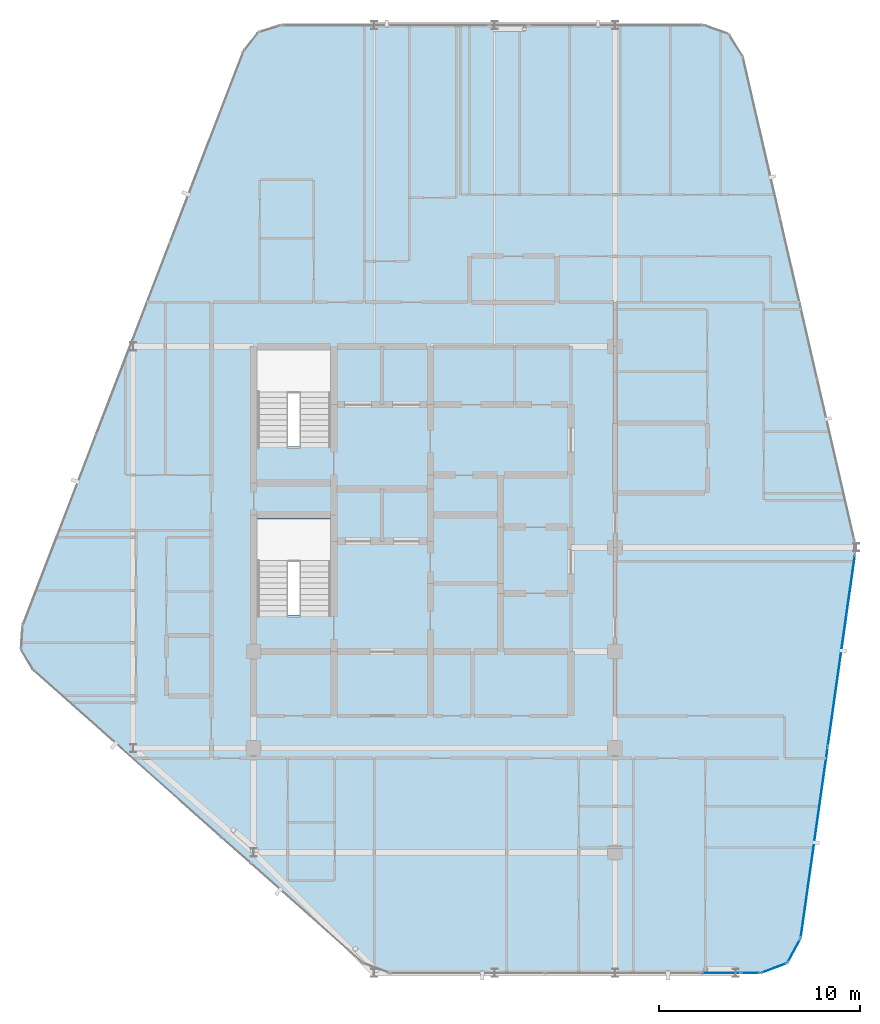
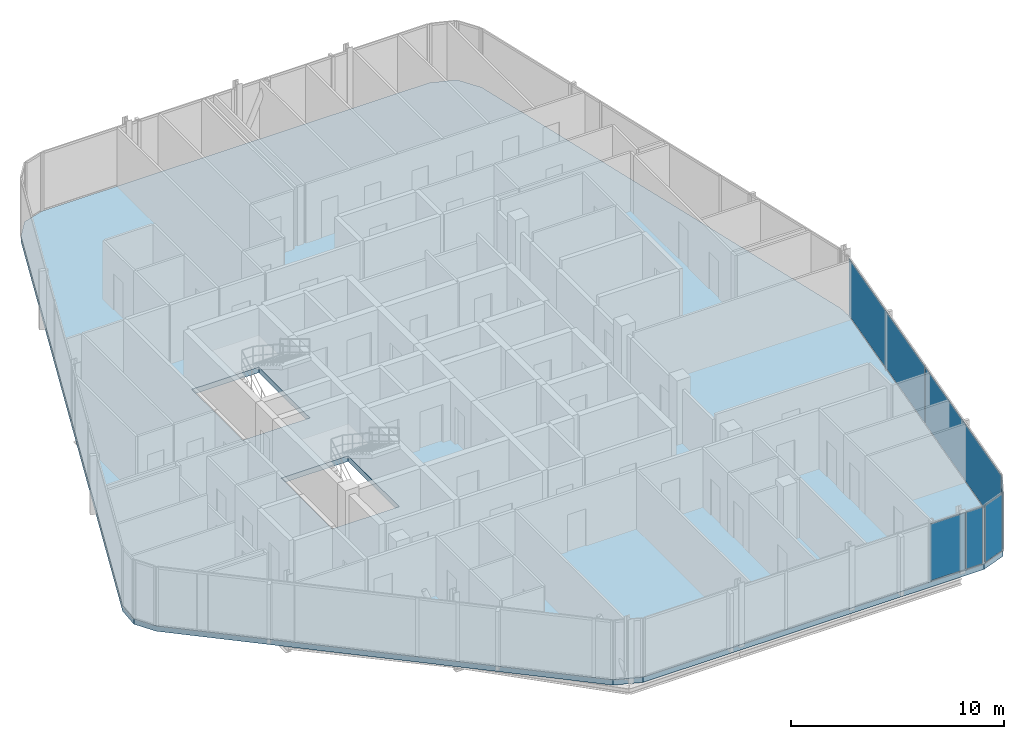
# One storey, part 23 of 30: 6 plates, 1 slab, 5 elements without a shape of their own.
"""IFC4 building model written with IfcOpenShell, lengths in metres."""

import ifcopenshell
import ifcopenshell.guid

model = None  # the IFC model being written
_history = None  # IfcOwnerHistory: only IFC2X3 demands one
_inside = {}  # id of a spatial element -> (the spatial element, [elements in it])
_under = {}  # id of a project, library or spatial element -> (it, [spatial elements below it])
_declared = {}  # id of a project -> (the project, [libraries it declares])
_typed = {}  # id of a type object -> (the type object, [elements of that type])
_made_of = {}  # id of a material, layer set ... -> (it, [elements and type objects made of it])


def new_model(schema):
    """Start an empty IFC model of exactly this schema.

    Asked for "IFC4X3", IfcOpenShell would pick the latest addendum, in which some entities
    have other attributes; the version numbers below select the first issue.
    IFC2X3 requires an IfcOwnerHistory on every rooted entity: one is made here for all.
    """
    global model, _history
    if schema == "IFC4X3":
        model = ifcopenshell.file(schema_version=(4, 3, 0, 0))
    else:
        model = ifcopenshell.file(schema=schema)
    _inside.clear()
    _under.clear()
    _declared.clear()
    _typed.clear()
    _made_of.clear()
    _history = None
    if model.schema == "IFC2X3":
        org = make("IfcOrganization", Name="unknown")
        user = make(
            "IfcPersonAndOrganization",
            ThePerson=make("IfcPerson", FamilyName="unknown"),
            TheOrganization=org,
        )
        app = make(
            "IfcApplication",
            ApplicationDeveloper=org,
            Version="unknown",
            ApplicationFullName="unknown",
            ApplicationIdentifier="unknown",
        )
        _history = make(
            "IfcOwnerHistory",
            OwningUser=user,
            OwningApplication=app,
            ChangeAction="ADDED",
            CreationDate=0,
        )
    return model


def make(cls, **values):
    """One entity of the class cls with the attributes given. An attribute that is None is left unset."""
    return model.create_entity(
        cls, **{name: value for name, value in values.items() if value is not None}
    )


def rooted(cls, **values):
    """An entity with a GlobalId (a new one), such as an element, a storey or a relation."""
    return make(cls, GlobalId=ifcopenshell.guid.new(), OwnerHistory=_history, **values)


def si_unit(unit_type, name, prefix=None):
    """IfcSIUnit, for example si_unit("LENGTHUNIT", "METRE", prefix="MILLI")."""
    return make("IfcSIUnit", UnitType=unit_type, Prefix=prefix, Name=name)


def assignment(units):
    """IfcUnitAssignment: the units of a project."""
    return None if units is None else make("IfcUnitAssignment", Units=units)


def point(xyz):
    """IfcCartesianPoint."""
    return None if xyz is None else make("IfcCartesianPoint", Coordinates=xyz)


def direction(xyz):
    """IfcDirection."""
    return None if xyz is None else make("IfcDirection", DirectionRatios=xyz)


def frame(location, z_axis=None, x_axis=None):
    """IfcAxis2Placement3D, a coordinate frame: its origin and axes. An axis left out is left unset."""
    return make(
        "IfcAxis2Placement3D",
        Location=point(location),
        Axis=direction(z_axis),
        RefDirection=direction(x_axis),
    )


def frame_2d(location, x_axis=None):
    """IfcAxis2Placement2D, a coordinate frame in the plane: its origin and x axis."""
    return make(
        "IfcAxis2Placement2D", Location=point(location), RefDirection=direction(x_axis)
    )


def origin():
    """The frame at (0, 0, 0) with its axes left unset."""
    return frame((0.0, 0.0, 0.0))


def origin_2d():
    """The frame at (0, 0) in the plane with its x axis left unset."""
    return frame_2d((0.0, 0.0))


def place(relative_to, where):
    """IfcLocalPlacement: puts the frame where relative to a parent placement (None: the world)."""
    return make(
        "IfcLocalPlacement", PlacementRelTo=relative_to, RelativePlacement=where
    )


def context(
    kind, dimensions, precision=None, world=None, true_north=None, identifier=None
):
    """IfcGeometricRepresentationContext, for example the 3D "Model" context."""
    return make(
        "IfcGeometricRepresentationContext",
        ContextIdentifier=identifier,
        ContextType=kind,
        CoordinateSpaceDimension=dimensions,
        Precision=precision,
        WorldCoordinateSystem=world,
        TrueNorth=true_north,
    )


def subcontext(parent, identifier, kind, view, scale=None):
    """IfcGeometricRepresentationSubContext, for example "Body" below "Model"."""
    return make(
        "IfcGeometricRepresentationSubContext",
        ContextIdentifier=identifier,
        ContextType=kind,
        ParentContext=parent,
        TargetScale=scale,
        TargetView=view,
    )


def project(units=None, contexts=None):
    """IfcProject with its units and contexts."""
    return rooted(
        "IfcProject",
        Name="project",
        RepresentationContexts=contexts,
        UnitsInContext=assignment(units),
    )


def spatial(cls, under=None, at=None, **own):
    """A site, building, storey or space (cls), placed at a placement, below another one or the project."""
    s = rooted(cls, ObjectPlacement=at, **own)
    if under is not None:
        _under.setdefault(under.id(), (under, []))[1].append(s)
    return s


def polyline(points):
    """IfcPolyline through the points."""
    return make("IfcPolyline", Points=[point(p) for p in points])


def profile(cls, at=None, kind="AREA", **sizes):
    """A parametric profile (cls). Its sizes go by their IFC names, for example OverallWidth=200.0."""
    return make(cls, ProfileType=kind, Position=at, **sizes)


def rectangle(**sizes):
    """IfcRectangleProfileDef."""
    return profile("IfcRectangleProfileDef", **sizes)


def outline(outer, holes=None, kind="AREA"):
    """IfcArbitraryClosedProfileDef: a profile drawn as a closed curve; with holes, ...WithVoids."""
    if holes is None:
        return make("IfcArbitraryClosedProfileDef", ProfileType=kind, OuterCurve=outer)
    return make(
        "IfcArbitraryProfileDefWithVoids",
        ProfileType=kind,
        OuterCurve=outer,
        InnerCurves=holes,
    )


def extrude(swept, where, along, depth):
    """IfcExtrudedAreaSolid: the profile swept, set in the frame where, extruded along a direction by depth."""
    return make(
        "IfcExtrudedAreaSolid",
        SweptArea=swept,
        Position=where,
        ExtrudedDirection=direction(along),
        Depth=depth,
    )


def shape(context_of_items, identifier, shape_type, items):
    """IfcShapeRepresentation: the items that make up one representation, for example the "Body"."""
    return make(
        "IfcShapeRepresentation",
        ContextOfItems=context_of_items,
        RepresentationIdentifier=identifier,
        RepresentationType=shape_type,
        Items=items,
    )


def material(Name=None, Category=None):
    """IfcMaterial."""
    return make("IfcMaterial", Name=Name, Category=Category)


def layer(
    of_material, thickness, ventilated=None, Name=None, Category=None, Priority=None
):
    """IfcMaterialLayer: one layer of a wall or slab, of a material (None: an air gap)."""
    return make(
        "IfcMaterialLayer",
        Material=of_material,
        LayerThickness=thickness,
        IsVentilated=ventilated,
        Name=Name,
        Category=Category,
        Priority=Priority,
    )


def layer_set(layers, Name=None):
    """IfcMaterialLayerSet."""
    return make("IfcMaterialLayerSet", MaterialLayers=layers, LayerSetName=Name)


def made_of(thing, what):
    """Note that an element or type object is made of a material, layer set ...; save() writes the relation."""
    if what is not None:
        _made_of.setdefault(what.id(), (what, []))[1].append(thing)
    return thing


def type_object(cls, material=None, **own):
    """A type object (cls), such as IfcWallType, which elements share."""
    return made_of(rooted(cls, **own), material)


def element(
    cls,
    number,
    at=None,
    inside=None,
    cuts=None,
    type_object=None,
    material=None,
    context=None,
    identifier="Body",
    shape_type=None,
    held_by="IfcProductDefinitionShape",
    body=None,
    shapes=None,
    **own,
):
    """One element of the class cls, such as IfcWall. Its Tag is "e" and its number.

    at: its placement. inside: the storey or other place that contains it. cuts: it is an
    opening in that element (IfcRelVoidsElement). A single representation is given by context,
    identifier, shape_type and body (its items); several are given by shapes. held_by: the class
    of the entity that holds the representations. save() writes the other relations.
    """
    e = rooted(cls, Tag="e%d" % number, ObjectPlacement=at, **own)
    if body is not None:
        shapes = [shape(context, identifier, shape_type, body)]
    if shapes is not None:
        e.Representation = make(held_by, Representations=shapes)
    if inside is not None:
        _inside.setdefault(inside.id(), (inside, []))[1].append(e)
    if cuts is not None:
        rooted(
            "IfcRelVoidsElement", RelatingBuildingElement=cuts, RelatedOpeningElement=e
        )
    if type_object is not None:
        _typed.setdefault(type_object.id(), (type_object, []))[1].append(e)
    return made_of(e, material)


def aggregate(whole, parts):
    """IfcRelAggregates: a whole, such as a stair, and the parts it consists of."""
    return rooted("IfcRelAggregates", RelatingObject=whole, RelatedObjects=parts)


def save(model, path):
    """Write the relations noted so far, then the file.

    IfcRelAggregates (storeys below a building ...), IfcRelContainedInSpatialStructure (elements
    in a storey), IfcRelDefinesByType, IfcRelAssociatesMaterial and IfcRelDeclares: one each for
    every whole, place, type object, material and project.
    """
    for whole, parts in _under.values():
        aggregate(whole, parts)
    for where, things in _inside.values():
        rooted(
            "IfcRelContainedInSpatialStructure",
            RelatedElements=things,
            RelatingStructure=where,
        )
    for kind, things in _typed.values():
        rooted("IfcRelDefinesByType", RelatedObjects=things, RelatingType=kind)
    for what, things in _made_of.values():
        rooted("IfcRelAssociatesMaterial", RelatedObjects=things, RelatingMaterial=what)
    for by, libraries in _declared.values():
        rooted("IfcRelDeclares", RelatingContext=by, RelatedDefinitions=libraries)
    model.write(path)


model = new_model("IFC4")

# Units and contexts
model_context = context("Model", 3, precision=1e-05, world=origin(), true_north=direction((0.0, 1.0)))
body_context = subcontext(model_context, "Body", "Model", "MODEL_VIEW")
ifc_project = project(units=[si_unit("LENGTHUNIT", "METRE"), si_unit("AREAUNIT", "SQUARE_METRE"), si_unit("VOLUMEUNIT", "CUBIC_METRE"), si_unit("PLANEANGLEUNIT", "RADIAN"), si_unit("MASSUNIT", "GRAM", prefix="KILO")], contexts=[model_context])

# Site, building, storey
site_placement = place(None, origin())
site = spatial("IfcSite", under=ifc_project, at=site_placement, CompositionType="ELEMENT")
building_placement = place(site_placement, origin())
building = spatial("IfcBuilding", under=site, at=building_placement, Name="Keshet Zoharim Tower", CompositionType="ELEMENT")
storey_placement = place(building_placement, frame((0.0, 0.0, 280.60009765625)))
storey = spatial("IfcBuildingStorey", under=building, at=storey_placement, Name="L70", CompositionType="ELEMENT", Elevation=280.60009765625)

# Curtain wall, plates
ifc_material_1 = material(Name="Aluminium 6063-T6", Category="aluminium")
ifc_layer_1 = layer(ifc_material_1, 0.260009765625)
ifc_layer_set_1 = layer_set([ifc_layer_1], Name="Aluminium 6063-T6")
curtain_wall_type = type_object("IfcCurtainWallType", Name="CW-SYS-06", PredefinedType="NOTDEFINED", material=ifc_layer_set_1)
curtain_wall_1_placement = place(storey_placement, origin())
curtain_wall_1 = element("IfcCurtainWall", 1, at=curtain_wall_1_placement, inside=storey, type_object=curtain_wall_type, Name="L70 Unitised Curtain Wall 11", PredefinedType="NOTDEFINED")
ifc_material_2 = material(Name="Insulated Low-E Clear Glass", Category="glass")
ifc_layer_2 = layer(ifc_material_2, 0.028076171875)
ifc_layer_set_2 = layer_set([ifc_layer_2], Name="Insulated Low-E Clear Glass")
plate_type_1 = type_object("IfcPlateType", Name="CWP-03", PredefinedType="CURTAIN_PANEL", material=ifc_layer_set_2)
plate_1_placement = place(storey_placement, frame((44.269287109375, 22.736572265625, 0.06982421875), z_axis=(0.0, 0.0, 1.0), x_axis=(-0.140137464177, -0.990132057422, 0.0)))
plate_1 = element("IfcPlate", 2, at=plate_1_placement, type_object=plate_type_1, Name="CW-06 panel 1.1", PredefinedType="CURTAIN_PANEL", context=body_context, shape_type="SweptSolid", body=[
    extrude(rectangle(XDim=9.546142578125, YDim=0.028076171875, at=origin_2d()), origin(), (0.0, 0.0, 1.0), 3.25),
])
plate_2_placement = place(storey_placement, frame((42.921630859375, 13.21533203125, 0.06982421875), z_axis=(0.0, 0.0, 1.0), x_axis=(-0.140137464177, -0.990132057422, 0.0)))
plate_2 = element("IfcPlate", 3, at=plate_2_placement, type_object=plate_type_1, Name="CW-06 panel 2.1", PredefinedType="CURTAIN_PANEL", context=body_context, shape_type="SweptSolid", body=[
    extrude(rectangle(XDim=9.546142578125, YDim=0.028076171875, at=origin_2d()), origin(), (0.0, 0.0, 1.0), 3.25),
])
aggregate(curtain_wall_1, [plate_1, plate_2])

# Curtain wall, plate
curtain_wall_2_placement = place(storey_placement, origin())
curtain_wall_2 = element("IfcCurtainWall", 4, at=curtain_wall_2_placement, inside=storey, type_object=curtain_wall_type, Name="L70 Unitised Curtain Wall 12", PredefinedType="NOTDEFINED")
plate_3_placement = place(storey_placement, frame((41.908447265625, 7.804931640625, 0.06982421875), z_axis=(0.0, 0.0, 1.0), x_axis=(-0.477800955789, -0.878468125004, 0.0)))
plate_3 = element("IfcPlate", 5, at=plate_3_placement, type_object=plate_type_1, Name="CW-06 panel 1.1", PredefinedType="CURTAIN_PANEL", context=body_context, shape_type="SweptSolid", body=[
    extrude(rectangle(XDim=1.26025390625, YDim=0.028076171875, at=origin_2d()), origin(), (0.0, 0.0, 1.0), 3.25),
])
aggregate(curtain_wall_2, [plate_3])

curtain_wall_3_placement = place(storey_placement, origin())
curtain_wall_3 = element("IfcCurtainWall", 6, at=curtain_wall_3_placement, inside=storey, type_object=curtain_wall_type, Name="L70 Unitised Curtain Wall 13", PredefinedType="NOTDEFINED")
plate_4_placement = place(storey_placement, frame((40.91845703125, 6.945068359375, 0.06982421875), z_axis=(0.0, 0.0, 1.0), x_axis=(-0.936710343781, -0.350105315376, 0.0)))
plate_4 = element("IfcPlate", 7, at=plate_4_placement, type_object=plate_type_1, Name="CW-06 panel 1.1", PredefinedType="CURTAIN_PANEL", context=body_context, shape_type="SweptSolid", body=[
    extrude(rectangle(XDim=1.259521484375, YDim=0.028076171875, at=origin_2d()), origin(), (0.0, 0.0, 1.0), 3.25),
])
aggregate(curtain_wall_3, [plate_4])

curtain_wall_4_placement = place(storey_placement, origin())
curtain_wall_4 = element("IfcCurtainWall", 8, at=curtain_wall_4_placement, inside=storey, type_object=curtain_wall_type, Name="L70 Unitised Curtain Wall 14", PredefinedType="NOTDEFINED")
plate_5_placement = place(storey_placement, frame((39.743896484375, 6.699951171875, 0.06982421875), z_axis=(0.0, 0.0, 1.0), x_axis=(-1.0, 0.0, 0.0)))
plate_5 = element("IfcPlate", 9, at=plate_5_placement, type_object=plate_type_1, Name="CW-06 panel 1.1", PredefinedType="CURTAIN_PANEL", context=body_context, shape_type="SweptSolid", body=[
    extrude(rectangle(XDim=0.898193359375, YDim=0.028076171875, at=origin_2d()), origin(), (0.0, 0.0, 1.0), 3.25),
])
aggregate(curtain_wall_4, [plate_5])

curtain_wall_5_placement = place(storey_placement, origin())
curtain_wall_5 = element("IfcCurtainWall", 10, at=curtain_wall_5_placement, inside=storey, type_object=curtain_wall_type, Name="L70 Unitised Curtain Wall 14 Part 2", PredefinedType="NOTDEFINED")
ifc_material_3 = material(Name="Insulated Aluminium Spandrel Panel", Category="aluminium")
ifc_layer_3 = layer(ifc_material_3, 0.028076171875)
ifc_layer_set_3 = layer_set([ifc_layer_3], Name="Insulated Aluminium Spandrel Panel")
plate_type_2 = type_object("IfcPlateType", Name="CWP-06", PredefinedType="CURTAIN_PANEL", material=ifc_layer_set_3)
plate_6_placement = place(storey_placement, frame((38.284912109375, 6.699951171875, 0.06982421875), z_axis=(0.0, 0.0, 1.0), x_axis=(-1.0, 0.0, 0.0)))
plate_6 = element("IfcPlate", 11, at=plate_6_placement, type_object=plate_type_2, Name="CW-06 spandrel panel 1.1", PredefinedType="CURTAIN_PANEL", context=body_context, shape_type="SweptSolid", body=[
    extrude(rectangle(XDim=1.879638671875, YDim=0.028076171875, at=origin_2d()), origin(), (0.0, 0.0, 1.0), 3.25),
])
aggregate(curtain_wall_5, [plate_6])

# Slab
ifc_material_4 = material(Name="Concrete C50/60", Category="concrete")
ifc_layer_4 = layer(ifc_material_4, 0.31005859375)
ifc_layer_set_4 = layer_set([ifc_layer_4], Name="Concrete C50/60")
slab_type = type_object("IfcSlabType", Name="SLB-UPP-240", PredefinedType="FLOOR", material=ifc_layer_set_4)
slab_placement = place(storey_placement, frame((0.0, 0.0, -0.31005859375)))
element("IfcSlab", 12, at=slab_placement, inside=storey, type_object=slab_type, Name="L70 Structural Floor Slab 1", PredefinedType="FLOOR", context=body_context, shape_type="SweptSolid", body=[
    extrude(outline(polyline([(4.034912109375, 21.780029296875), (3.419921875, 22.802001953125), (3.4970703125, 23.992919921875), (14.507080078125, 52.617919921875), (15.240966796875, 53.549072265625), (16.3740234375, 53.89990234375), (37.408935546875, 53.89990234375), (38.654052734375, 53.465087890625), (39.35791015625, 52.35009765625), (44.916015625, 28.261962890625), (44.947998046875, 27.531982421875), (42.242919921875, 8.419921875), (41.573974609375, 7.18994140625), (40.262939453125, 6.699951171875), (21.760009765625, 6.699951171875), (20.431884765625, 7.205078125), (4.034912109375, 21.780029296875)]), holes=[polyline([(15.179931640625, 24.52001953125), (18.820068359375, 24.52001953125), (18.820068359375, 29.320068359375), (15.179931640625, 29.320068359375), (15.179931640625, 24.52001953125)]), polyline([(15.179931640625, 32.919921875), (18.820068359375, 32.919921875), (18.820068359375, 37.719970703125), (15.179931640625, 37.719970703125), (15.179931640625, 32.919921875)])]), origin(), (0.0, 0.0, 1.0), 0.31005859375),
])

save(model, "model.ifc")
